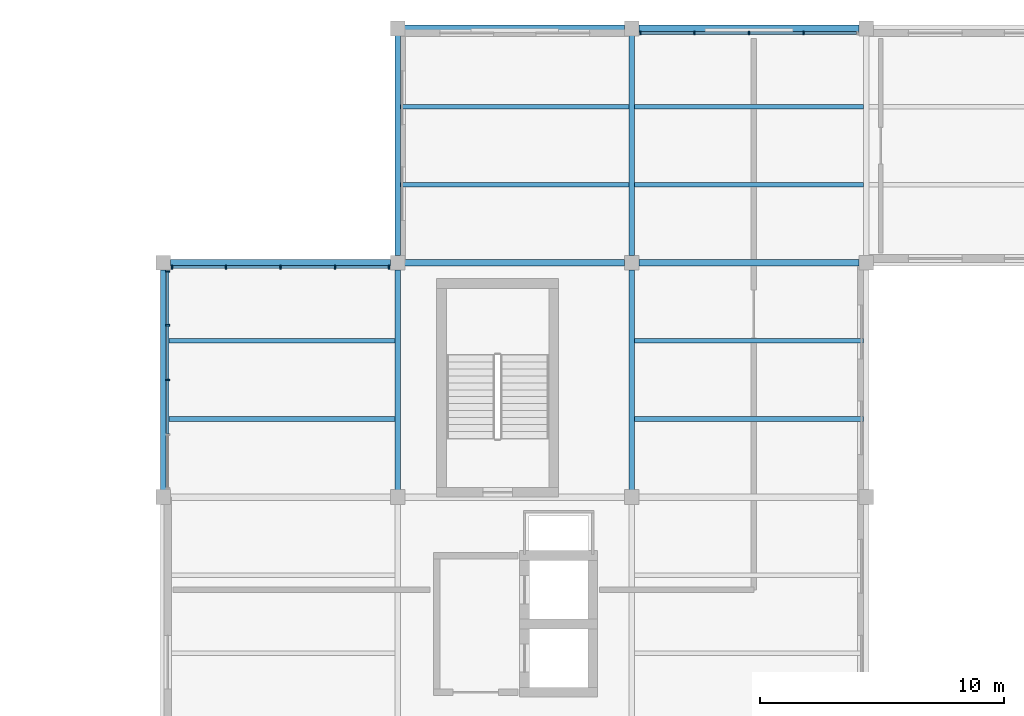
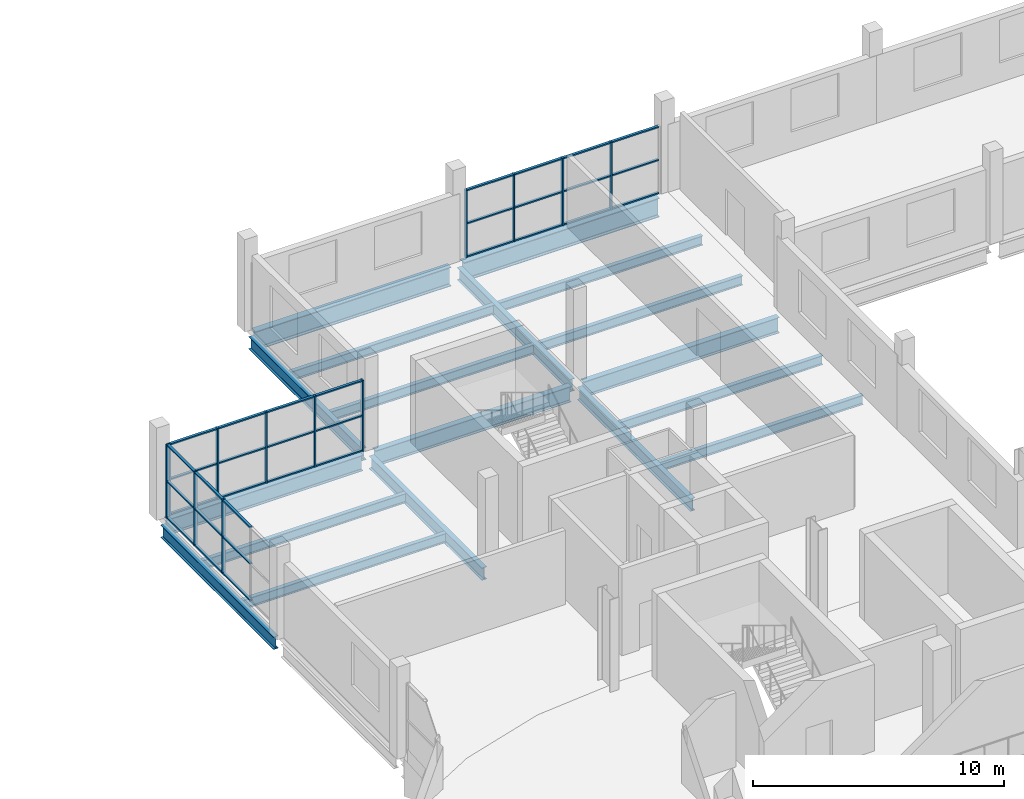
# One storey, part 40 of 92: 45 members, 18 beams, 3 elements without a shape of their own.
"""IFC4 building model written with IfcOpenShell, lengths in metres."""

from ifc_helpers import new_model, si_unit, direction, frame, origin, origin_2d, place, context, subcontext, project, spatial, rectangle, i_section, extrude, material, layer, layer_set, material_profile, profile_set, type_object, element, aggregate, save


model = new_model("IFC4")

# Units and contexts
model_context = context("Model", 3, precision=1e-05, world=origin(), true_north=direction((0.0, 1.0)))
body_context = subcontext(model_context, "Body", "Model", "MODEL_VIEW")
ifc_project = project(units=[si_unit("LENGTHUNIT", "METRE"), si_unit("AREAUNIT", "SQUARE_METRE"), si_unit("VOLUMEUNIT", "CUBIC_METRE"), si_unit("PLANEANGLEUNIT", "RADIAN"), si_unit("MASSUNIT", "GRAM", prefix="KILO")], contexts=[model_context])

# Site, building, storey
site_placement = place(None, origin())
site = spatial("IfcSite", under=ifc_project, at=site_placement, CompositionType="ELEMENT")
building_placement = place(site_placement, origin())
building = spatial("IfcBuilding", under=site, at=building_placement, Name="Caelomonte Colonnade Arena", CompositionType="ELEMENT")
storey_placement = place(building_placement, frame((0.0, 0.0, 9.60009765625)))
storey = spatial("IfcBuildingStorey", under=building, at=storey_placement, Name="L02", CompositionType="ELEMENT", Elevation=9.60009765625)

# Curtain wall, members
ifc_material_1 = material(Name="Bronze anodised aluminium and low-E glazing", Category="aluminium")
ifc_layer_1 = layer(ifc_material_1, 0.179931640625)
ifc_layer_set_1 = layer_set([ifc_layer_1], Name="Bronze anodised aluminium and low-E glazing")
curtain_wall_type_1 = type_object("IfcCurtainWallType", Name="ENV-CW-CW-L02-96-33", PredefinedType="USERDEFINED", material=ifc_layer_set_1)
curtain_wall_1_placement = place(storey_placement, origin())
curtain_wall_1 = element("IfcCurtainWall", 1, at=curtain_wall_1_placement, inside=storey, type_object=curtain_wall_type_1, Name="L02 unitized curtain wall CW-L02-0912-1438", ObjectType="UNITIZED CURTAIN WALL", PredefinedType="USERDEFINED")
ifc_material_2 = material(Name="Bronze anodised aluminium AA6063-T6", Category="aluminium")
ifc_material_profile_1 = material_profile(ifc_material_2, rectangle(XDim=0.06494140625, YDim=0.14990234375, at=origin_2d()), Name="CWM-65X150")
ifc_profile_set_1 = profile_set([ifc_material_profile_1], Name="Bronze anodised aluminium AA6063-T6")
member_type_1 = type_object("IfcMemberType", Name="ENV-CW-MULL2", PredefinedType="MULLION", material=ifc_profile_set_1)
member_1_placement = place(storey_placement, frame((93.43994140625, 143.820068359375, 0.0), z_axis=(0.0, 0.0, 1.0), x_axis=(-1.0, 0.0, 0.0)))
member_1 = element("IfcMember", 2, at=member_1_placement, type_object=member_type_1, Name="CW-L02-96-33 mullion 2", PredefinedType="MULLION", context=body_context, shape_type="SweptSolid", body=[
    extrude(rectangle(XDim=0.06494140625, YDim=0.14990234375, at=origin_2d()), origin(), (0.0, 0.0, 1.0), 3.29296875),
])
member_2_placement = place(storey_placement, frame((91.199951171875, 143.820068359375, 0.0), z_axis=(0.0, 0.0, 1.0), x_axis=(-1.0, 0.0, 0.0)))
member_2 = element("IfcMember", 3, at=member_2_placement, type_object=member_type_1, Name="CW-L02-96-33 mullion 3", PredefinedType="MULLION", context=body_context, shape_type="SweptSolid", body=[
    extrude(rectangle(XDim=0.06494140625, YDim=0.14990234375, at=origin_2d()), origin(), (0.0, 0.0, 1.0), 3.29296875),
])
member_3_placement = place(storey_placement, frame((88.9599609375, 143.820068359375, 0.0), z_axis=(0.0, 0.0, 1.0), x_axis=(-1.0, 0.0, 0.0)))
member_3 = element("IfcMember", 4, at=member_3_placement, type_object=member_type_1, Name="CW-L02-96-33 mullion 4", PredefinedType="MULLION", context=body_context, shape_type="SweptSolid", body=[
    extrude(rectangle(XDim=0.06494140625, YDim=0.14990234375, at=origin_2d()), origin(), (0.0, 0.0, 1.0), 3.29296875),
])
member_4_placement = place(storey_placement, frame((86.75244140625, 143.820068359375, 0.0), z_axis=(0.0, 0.0, 1.0), x_axis=(-1.0, 0.0, 0.0)))
member_4 = element("IfcMember", 5, at=member_4_placement, type_object=member_type_1, Name="CW-L02-96-33 mullion 5", PredefinedType="MULLION", context=body_context, shape_type="SweptSolid", body=[
    extrude(rectangle(XDim=0.06494140625, YDim=0.14990234375, at=origin_2d()), origin(), (0.0, 0.0, 1.0), 3.29296875),
])

ifc_layer_2 = layer(ifc_material_1, 0.179931640625)
ifc_layer_set_2 = layer_set([ifc_layer_2], Name="Bronze anodised aluminium and low-E glazing")
curtain_wall_type_2 = type_object("IfcCurtainWallType", Name="ENV-CW-CW-L02-96-35", PredefinedType="USERDEFINED", material=ifc_layer_set_2)
curtain_wall_2_placement = place(storey_placement, origin())
curtain_wall_2 = element("IfcCurtainWall", 6, at=curtain_wall_2_placement, inside=storey, type_object=curtain_wall_type_2, Name="L02 unitized curtain wall CW-L02-0720-1342", ObjectType="UNITIZED CURTAIN WALL", PredefinedType="USERDEFINED")
member_5_placement = place(storey_placement, frame((76.447509765625, 134.219970703125, 0.0), z_axis=(0.0, 0.0, 1.0), x_axis=(-1.0, 0.0, 0.0)))
member_5 = element("IfcMember", 7, at=member_5_placement, type_object=member_type_1, Name="CW-L02-96-35 mullion 1", PredefinedType="MULLION", context=body_context, shape_type="SweptSolid", body=[
    extrude(rectangle(XDim=0.06494140625, YDim=0.14990234375, at=origin_2d()), origin(), (0.0, 0.0, 1.0), 3.465576171875),
])
member_6_placement = place(storey_placement, frame((74.239990234375, 134.219970703125, 0.0), z_axis=(0.0, 0.0, 1.0), x_axis=(-1.0, 0.0, 0.0)))
member_6 = element("IfcMember", 8, at=member_6_placement, type_object=member_type_1, Name="CW-L02-96-35 mullion 2", PredefinedType="MULLION", context=body_context, shape_type="SweptSolid", body=[
    extrude(rectangle(XDim=0.06494140625, YDim=0.14990234375, at=origin_2d()), origin(), (0.0, 0.0, 1.0), 3.465576171875),
])
member_7_placement = place(storey_placement, frame((72.0, 134.219970703125, 0.0), z_axis=(0.0, 0.0, 1.0), x_axis=(-1.0, 0.0, 0.0)))
member_7 = element("IfcMember", 9, at=member_7_placement, type_object=member_type_1, Name="CW-L02-96-35 mullion 3", PredefinedType="MULLION", context=body_context, shape_type="SweptSolid", body=[
    extrude(rectangle(XDim=0.06494140625, YDim=0.14990234375, at=origin_2d()), origin(), (0.0, 0.0, 1.0), 3.465576171875),
])
member_8_placement = place(storey_placement, frame((69.760009765625, 134.219970703125, 0.0), z_axis=(0.0, 0.0, 1.0), x_axis=(-1.0, 0.0, 0.0)))
member_8 = element("IfcMember", 10, at=member_8_placement, type_object=member_type_1, Name="CW-L02-96-35 mullion 4", PredefinedType="MULLION", context=body_context, shape_type="SweptSolid", body=[
    extrude(rectangle(XDim=0.06494140625, YDim=0.14990234375, at=origin_2d()), origin(), (0.0, 0.0, 1.0), 3.465576171875),
])
member_9_placement = place(storey_placement, frame((67.552490234375, 134.219970703125, 0.0), z_axis=(0.0, 0.0, 1.0), x_axis=(-1.0, 0.0, 0.0)))
member_9 = element("IfcMember", 11, at=member_9_placement, type_object=member_type_1, Name="CW-L02-96-35 mullion 5", PredefinedType="MULLION", context=body_context, shape_type="SweptSolid", body=[
    extrude(rectangle(XDim=0.06494140625, YDim=0.14990234375, at=origin_2d()), origin(), (0.0, 0.0, 1.0), 3.465576171875),
])

ifc_layer_3 = layer(ifc_material_1, 0.179931640625)
ifc_layer_set_3 = layer_set([ifc_layer_3], Name="Bronze anodised aluminium and low-E glazing")
curtain_wall_type_3 = type_object("IfcCurtainWallType", Name="ENV-CW-CW-L02-96-36", PredefinedType="USERDEFINED", material=ifc_layer_set_3)
curtain_wall_3_placement = place(storey_placement, origin())
curtain_wall_3 = element("IfcCurtainWall", 12, at=curtain_wall_3_placement, inside=storey, type_object=curtain_wall_type_3, Name="L02 unitized curtain wall CW-L02-0674-1296", ObjectType="UNITIZED CURTAIN WALL", PredefinedType="USERDEFINED")
member_10_placement = place(storey_placement, frame((67.3798828125, 134.047607421875, 0.0), z_axis=(0.0, 0.0, 1.0), x_axis=(0.0, -1.0, 0.0)))
member_10 = element("IfcMember", 13, at=member_10_placement, type_object=member_type_1, Name="CW-L02-96-36 mullion 1", PredefinedType="MULLION", context=body_context, shape_type="SweptSolid", body=[
    extrude(rectangle(XDim=0.06494140625, YDim=0.14990234375, at=origin_2d()), origin(), (0.0, 0.0, 1.0), 3.61279296875),
])
member_11_placement = place(storey_placement, frame((67.3798828125, 131.840087890625, 0.0), z_axis=(0.0, 0.0, 1.0), x_axis=(0.0, -1.0, 0.0)))
member_11 = element("IfcMember", 14, at=member_11_placement, type_object=member_type_1, Name="CW-L02-96-36 mullion 2", PredefinedType="MULLION", context=body_context, shape_type="SweptSolid", body=[
    extrude(rectangle(XDim=0.06494140625, YDim=0.14990234375, at=origin_2d()), origin(), (0.0, 0.0, 1.0), 3.61279296875),
])
member_12_placement = place(storey_placement, frame((67.3798828125, 129.60009765625, 0.0), z_axis=(0.0, 0.0, 1.0), x_axis=(0.0, -1.0, 0.0)))
member_12 = element("IfcMember", 15, at=member_12_placement, type_object=member_type_1, Name="CW-L02-96-36 mullion 3", PredefinedType="MULLION", context=body_context, shape_type="SweptSolid", body=[
    extrude(rectangle(XDim=0.06494140625, YDim=0.14990234375, at=origin_2d()), origin(), (0.0, 0.0, 1.0), 3.61279296875),
])

# Member
ifc_material_profile_2 = material_profile(ifc_material_2, rectangle(XDim=0.06494140625, YDim=0.1201171875, at=origin_2d()), Name="CWT-65X120")
ifc_profile_set_2 = profile_set([ifc_material_profile_2], Name="Bronze anodised aluminium AA6063-T6")
member_type_2 = type_object("IfcMemberType", Name="ENV-CW-TRAN2", PredefinedType="USERDEFINED", material=ifc_profile_set_2)
member_13_placement = place(storey_placement, frame((95.614990234375, 143.820068359375, 0.032470703125), z_axis=(-1.0, 0.0, 0.0), x_axis=(0.0, 0.0, 1.0)))
member_13 = element("IfcMember", 16, at=member_13_placement, type_object=member_type_2, Name="CW-L02-96-33 transom 1.1", ObjectType="TRANSOM", PredefinedType="USERDEFINED", context=body_context, shape_type="SweptSolid", body=[
    extrude(rectangle(XDim=0.06494140625, YDim=0.1201171875, at=origin_2d()), origin(), (0.0, 0.0, 1.0), 2.142578125),
])

member_14_placement = place(storey_placement, frame((95.614990234375, 143.820068359375, 1.646484375), z_axis=(-1.0, 0.0, 0.0), x_axis=(0.0, 0.0, 1.0)))
member_14 = element("IfcMember", 17, at=member_14_placement, type_object=member_type_2, Name="CW-L02-96-33 transom 1.2", ObjectType="TRANSOM", PredefinedType="USERDEFINED", context=body_context, shape_type="SweptSolid", body=[
    extrude(rectangle(XDim=0.06494140625, YDim=0.1201171875, at=origin_2d()), origin(), (0.0, 0.0, 1.0), 2.142578125),
])

member_15_placement = place(storey_placement, frame((95.614990234375, 143.820068359375, 3.260498046875), z_axis=(-1.0, 0.0, 0.0), x_axis=(0.0, 0.0, 1.0)))
member_15 = element("IfcMember", 18, at=member_15_placement, type_object=member_type_2, Name="CW-L02-96-33 transom 1.3", ObjectType="TRANSOM", PredefinedType="USERDEFINED", context=body_context, shape_type="SweptSolid", body=[
    extrude(rectangle(XDim=0.06494140625, YDim=0.1201171875, at=origin_2d()), origin(), (0.0, 0.0, 1.0), 2.142578125),
])

member_16_placement = place(storey_placement, frame((93.407470703125, 143.820068359375, 0.032470703125), z_axis=(-1.0, 0.0, 0.0), x_axis=(0.0, 0.0, 1.0)))
member_16 = element("IfcMember", 19, at=member_16_placement, type_object=member_type_2, Name="CW-L02-96-33 transom 2.1", ObjectType="TRANSOM", PredefinedType="USERDEFINED", context=body_context, shape_type="SweptSolid", body=[
    extrude(rectangle(XDim=0.06494140625, YDim=0.1201171875, at=origin_2d()), origin(), (0.0, 0.0, 1.0), 2.175048828125),
])

member_17_placement = place(storey_placement, frame((93.407470703125, 143.820068359375, 1.646484375), z_axis=(-1.0, 0.0, 0.0), x_axis=(0.0, 0.0, 1.0)))
member_17 = element("IfcMember", 20, at=member_17_placement, type_object=member_type_2, Name="CW-L02-96-33 transom 2.2", ObjectType="TRANSOM", PredefinedType="USERDEFINED", context=body_context, shape_type="SweptSolid", body=[
    extrude(rectangle(XDim=0.06494140625, YDim=0.1201171875, at=origin_2d()), origin(), (0.0, 0.0, 1.0), 2.175048828125),
])

member_18_placement = place(storey_placement, frame((93.407470703125, 143.820068359375, 3.260498046875), z_axis=(-1.0, 0.0, 0.0), x_axis=(0.0, 0.0, 1.0)))
member_18 = element("IfcMember", 21, at=member_18_placement, type_object=member_type_2, Name="CW-L02-96-33 transom 2.3", ObjectType="TRANSOM", PredefinedType="USERDEFINED", context=body_context, shape_type="SweptSolid", body=[
    extrude(rectangle(XDim=0.06494140625, YDim=0.1201171875, at=origin_2d()), origin(), (0.0, 0.0, 1.0), 2.175048828125),
])

member_19_placement = place(storey_placement, frame((91.16748046875, 143.820068359375, 0.032470703125), z_axis=(-1.0, 0.0, 0.0), x_axis=(0.0, 0.0, 1.0)))
member_19 = element("IfcMember", 22, at=member_19_placement, type_object=member_type_2, Name="CW-L02-96-33 transom 3.1", ObjectType="TRANSOM", PredefinedType="USERDEFINED", context=body_context, shape_type="SweptSolid", body=[
    extrude(rectangle(XDim=0.06494140625, YDim=0.1201171875, at=origin_2d()), origin(), (0.0, 0.0, 1.0), 2.175048828125),
])

member_20_placement = place(storey_placement, frame((91.16748046875, 143.820068359375, 1.646484375), z_axis=(-1.0, 0.0, 0.0), x_axis=(0.0, 0.0, 1.0)))
member_20 = element("IfcMember", 23, at=member_20_placement, type_object=member_type_2, Name="CW-L02-96-33 transom 3.2", ObjectType="TRANSOM", PredefinedType="USERDEFINED", context=body_context, shape_type="SweptSolid", body=[
    extrude(rectangle(XDim=0.06494140625, YDim=0.1201171875, at=origin_2d()), origin(), (0.0, 0.0, 1.0), 2.175048828125),
])

member_21_placement = place(storey_placement, frame((91.16748046875, 143.820068359375, 3.260498046875), z_axis=(-1.0, 0.0, 0.0), x_axis=(0.0, 0.0, 1.0)))
member_21 = element("IfcMember", 24, at=member_21_placement, type_object=member_type_2, Name="CW-L02-96-33 transom 3.3", ObjectType="TRANSOM", PredefinedType="USERDEFINED", context=body_context, shape_type="SweptSolid", body=[
    extrude(rectangle(XDim=0.06494140625, YDim=0.1201171875, at=origin_2d()), origin(), (0.0, 0.0, 1.0), 2.175048828125),
])

member_22_placement = place(storey_placement, frame((88.927490234375, 143.820068359375, 0.032470703125), z_axis=(-1.0, 0.0, 0.0), x_axis=(0.0, 0.0, 1.0)))
member_22 = element("IfcMember", 25, at=member_22_placement, type_object=member_type_2, Name="CW-L02-96-33 transom 4.1", ObjectType="TRANSOM", PredefinedType="USERDEFINED", context=body_context, shape_type="SweptSolid", body=[
    extrude(rectangle(XDim=0.06494140625, YDim=0.1201171875, at=origin_2d()), origin(), (0.0, 0.0, 1.0), 2.142578125),
])

member_23_placement = place(storey_placement, frame((88.927490234375, 143.820068359375, 1.646484375), z_axis=(-1.0, 0.0, 0.0), x_axis=(0.0, 0.0, 1.0)))
member_23 = element("IfcMember", 26, at=member_23_placement, type_object=member_type_2, Name="CW-L02-96-33 transom 4.2", ObjectType="TRANSOM", PredefinedType="USERDEFINED", context=body_context, shape_type="SweptSolid", body=[
    extrude(rectangle(XDim=0.06494140625, YDim=0.1201171875, at=origin_2d()), origin(), (0.0, 0.0, 1.0), 2.142578125),
])

member_24_placement = place(storey_placement, frame((88.927490234375, 143.820068359375, 3.260498046875), z_axis=(-1.0, 0.0, 0.0), x_axis=(0.0, 0.0, 1.0)))
member_24 = element("IfcMember", 27, at=member_24_placement, type_object=member_type_2, Name="CW-L02-96-33 transom 4.3", ObjectType="TRANSOM", PredefinedType="USERDEFINED", context=body_context, shape_type="SweptSolid", body=[
    extrude(rectangle(XDim=0.06494140625, YDim=0.1201171875, at=origin_2d()), origin(), (0.0, 0.0, 1.0), 2.142578125),
])

aggregate(curtain_wall_1, [member_1, member_2, member_3, member_4, member_13, member_14, member_15, member_16, member_17, member_18, member_19, member_20, member_21, member_22, member_23, member_24])

member_25_placement = place(storey_placement, frame((76.4150390625, 134.219970703125, 0.032470703125), z_axis=(-1.0, 0.0, 0.0), x_axis=(0.0, 0.0, 1.0)))
member_25 = element("IfcMember", 28, at=member_25_placement, type_object=member_type_2, Name="CW-L02-96-35 transom 1.1", ObjectType="TRANSOM", PredefinedType="USERDEFINED", context=body_context, shape_type="SweptSolid", body=[
    extrude(rectangle(XDim=0.06494140625, YDim=0.1201171875, at=origin_2d()), origin(), (0.0, 0.0, 1.0), 2.142578125),
])

member_26_placement = place(storey_placement, frame((76.4150390625, 134.219970703125, 1.732666015625), z_axis=(-1.0, 0.0, 0.0), x_axis=(0.0, 0.0, 1.0)))
member_26 = element("IfcMember", 29, at=member_26_placement, type_object=member_type_2, Name="CW-L02-96-35 transom 1.2", ObjectType="TRANSOM", PredefinedType="USERDEFINED", context=body_context, shape_type="SweptSolid", body=[
    extrude(rectangle(XDim=0.06494140625, YDim=0.1201171875, at=origin_2d()), origin(), (0.0, 0.0, 1.0), 2.142578125),
])

member_27_placement = place(storey_placement, frame((76.4150390625, 134.219970703125, 3.43310546875), z_axis=(-1.0, 0.0, 0.0), x_axis=(0.0, 0.0, 1.0)))
member_27 = element("IfcMember", 30, at=member_27_placement, type_object=member_type_2, Name="CW-L02-96-35 transom 1.3", ObjectType="TRANSOM", PredefinedType="USERDEFINED", context=body_context, shape_type="SweptSolid", body=[
    extrude(rectangle(XDim=0.06494140625, YDim=0.1201171875, at=origin_2d()), origin(), (0.0, 0.0, 1.0), 2.142578125),
])

member_28_placement = place(storey_placement, frame((74.20751953125, 134.219970703125, 0.032470703125), z_axis=(-1.0, 0.0, 0.0), x_axis=(0.0, 0.0, 1.0)))
member_28 = element("IfcMember", 31, at=member_28_placement, type_object=member_type_2, Name="CW-L02-96-35 transom 2.1", ObjectType="TRANSOM", PredefinedType="USERDEFINED", context=body_context, shape_type="SweptSolid", body=[
    extrude(rectangle(XDim=0.06494140625, YDim=0.1201171875, at=origin_2d()), origin(), (0.0, 0.0, 1.0), 2.175048828125),
])

member_29_placement = place(storey_placement, frame((74.20751953125, 134.219970703125, 1.732666015625), z_axis=(-1.0, 0.0, 0.0), x_axis=(0.0, 0.0, 1.0)))
member_29 = element("IfcMember", 32, at=member_29_placement, type_object=member_type_2, Name="CW-L02-96-35 transom 2.2", ObjectType="TRANSOM", PredefinedType="USERDEFINED", context=body_context, shape_type="SweptSolid", body=[
    extrude(rectangle(XDim=0.06494140625, YDim=0.1201171875, at=origin_2d()), origin(), (0.0, 0.0, 1.0), 2.175048828125),
])

member_30_placement = place(storey_placement, frame((74.20751953125, 134.219970703125, 3.43310546875), z_axis=(-1.0, 0.0, 0.0), x_axis=(0.0, 0.0, 1.0)))
member_30 = element("IfcMember", 33, at=member_30_placement, type_object=member_type_2, Name="CW-L02-96-35 transom 2.3", ObjectType="TRANSOM", PredefinedType="USERDEFINED", context=body_context, shape_type="SweptSolid", body=[
    extrude(rectangle(XDim=0.06494140625, YDim=0.1201171875, at=origin_2d()), origin(), (0.0, 0.0, 1.0), 2.175048828125),
])

member_31_placement = place(storey_placement, frame((71.967529296875, 134.219970703125, 0.032470703125), z_axis=(-1.0, 0.0, 0.0), x_axis=(0.0, 0.0, 1.0)))
member_31 = element("IfcMember", 34, at=member_31_placement, type_object=member_type_2, Name="CW-L02-96-35 transom 3.1", ObjectType="TRANSOM", PredefinedType="USERDEFINED", context=body_context, shape_type="SweptSolid", body=[
    extrude(rectangle(XDim=0.06494140625, YDim=0.1201171875, at=origin_2d()), origin(), (0.0, 0.0, 1.0), 2.175048828125),
])

member_32_placement = place(storey_placement, frame((71.967529296875, 134.219970703125, 1.732666015625), z_axis=(-1.0, 0.0, 0.0), x_axis=(0.0, 0.0, 1.0)))
member_32 = element("IfcMember", 35, at=member_32_placement, type_object=member_type_2, Name="CW-L02-96-35 transom 3.2", ObjectType="TRANSOM", PredefinedType="USERDEFINED", context=body_context, shape_type="SweptSolid", body=[
    extrude(rectangle(XDim=0.06494140625, YDim=0.1201171875, at=origin_2d()), origin(), (0.0, 0.0, 1.0), 2.175048828125),
])

member_33_placement = place(storey_placement, frame((71.967529296875, 134.219970703125, 3.43310546875), z_axis=(-1.0, 0.0, 0.0), x_axis=(0.0, 0.0, 1.0)))
member_33 = element("IfcMember", 36, at=member_33_placement, type_object=member_type_2, Name="CW-L02-96-35 transom 3.3", ObjectType="TRANSOM", PredefinedType="USERDEFINED", context=body_context, shape_type="SweptSolid", body=[
    extrude(rectangle(XDim=0.06494140625, YDim=0.1201171875, at=origin_2d()), origin(), (0.0, 0.0, 1.0), 2.175048828125),
])

member_34_placement = place(storey_placement, frame((69.7275390625, 134.219970703125, 0.032470703125), z_axis=(-1.0, 0.0, 0.0), x_axis=(0.0, 0.0, 1.0)))
member_34 = element("IfcMember", 37, at=member_34_placement, type_object=member_type_2, Name="CW-L02-96-35 transom 4.1", ObjectType="TRANSOM", PredefinedType="USERDEFINED", context=body_context, shape_type="SweptSolid", body=[
    extrude(rectangle(XDim=0.06494140625, YDim=0.1201171875, at=origin_2d()), origin(), (0.0, 0.0, 1.0), 2.142578125),
])

member_35_placement = place(storey_placement, frame((69.7275390625, 134.219970703125, 1.732666015625), z_axis=(-1.0, 0.0, 0.0), x_axis=(0.0, 0.0, 1.0)))
member_35 = element("IfcMember", 38, at=member_35_placement, type_object=member_type_2, Name="CW-L02-96-35 transom 4.2", ObjectType="TRANSOM", PredefinedType="USERDEFINED", context=body_context, shape_type="SweptSolid", body=[
    extrude(rectangle(XDim=0.06494140625, YDim=0.1201171875, at=origin_2d()), origin(), (0.0, 0.0, 1.0), 2.142578125),
])

member_36_placement = place(storey_placement, frame((69.7275390625, 134.219970703125, 3.43310546875), z_axis=(-1.0, 0.0, 0.0), x_axis=(0.0, 0.0, 1.0)))
member_36 = element("IfcMember", 39, at=member_36_placement, type_object=member_type_2, Name="CW-L02-96-35 transom 4.3", ObjectType="TRANSOM", PredefinedType="USERDEFINED", context=body_context, shape_type="SweptSolid", body=[
    extrude(rectangle(XDim=0.06494140625, YDim=0.1201171875, at=origin_2d()), origin(), (0.0, 0.0, 1.0), 2.142578125),
])

aggregate(curtain_wall_2, [member_5, member_6, member_7, member_8, member_9, member_25, member_26, member_27, member_28, member_29, member_30, member_31, member_32, member_33, member_34, member_35, member_36])

member_37_placement = place(storey_placement, frame((67.3798828125, 134.014892578125, 0.032470703125), z_axis=(0.0, -1.0, 0.0), x_axis=(0.0, 0.0, 1.0)))
member_37 = element("IfcMember", 40, at=member_37_placement, type_object=member_type_2, Name="CW-L02-96-36 transom 1.1", ObjectType="TRANSOM", PredefinedType="USERDEFINED", context=body_context, shape_type="SweptSolid", body=[
    extrude(rectangle(XDim=0.06494140625, YDim=0.1201171875, at=origin_2d()), origin(), (0.0, 0.0, 1.0), 2.142333984375),
])

member_38_placement = place(storey_placement, frame((67.3798828125, 134.014892578125, 1.806396484375), z_axis=(0.0, -1.0, 0.0), x_axis=(0.0, 0.0, 1.0)))
member_38 = element("IfcMember", 41, at=member_38_placement, type_object=member_type_2, Name="CW-L02-96-36 transom 1.2", ObjectType="TRANSOM", PredefinedType="USERDEFINED", context=body_context, shape_type="SweptSolid", body=[
    extrude(rectangle(XDim=0.06494140625, YDim=0.1201171875, at=origin_2d()), origin(), (0.0, 0.0, 1.0), 2.142333984375),
])

member_39_placement = place(storey_placement, frame((67.3798828125, 134.014892578125, 3.580322265625), z_axis=(0.0, -1.0, 0.0), x_axis=(0.0, 0.0, 1.0)))
member_39 = element("IfcMember", 42, at=member_39_placement, type_object=member_type_2, Name="CW-L02-96-36 transom 1.3", ObjectType="TRANSOM", PredefinedType="USERDEFINED", context=body_context, shape_type="SweptSolid", body=[
    extrude(rectangle(XDim=0.06494140625, YDim=0.1201171875, at=origin_2d()), origin(), (0.0, 0.0, 1.0), 2.142333984375),
])

member_40_placement = place(storey_placement, frame((67.3798828125, 131.8076171875, 0.032470703125), z_axis=(0.0, -1.0, 0.0), x_axis=(0.0, 0.0, 1.0)))
member_40 = element("IfcMember", 43, at=member_40_placement, type_object=member_type_2, Name="CW-L02-96-36 transom 2.1", ObjectType="TRANSOM", PredefinedType="USERDEFINED", context=body_context, shape_type="SweptSolid", body=[
    extrude(rectangle(XDim=0.06494140625, YDim=0.1201171875, at=origin_2d()), origin(), (0.0, 0.0, 1.0), 2.175048828125),
])

member_41_placement = place(storey_placement, frame((67.3798828125, 131.8076171875, 1.806396484375), z_axis=(0.0, -1.0, 0.0), x_axis=(0.0, 0.0, 1.0)))
member_41 = element("IfcMember", 44, at=member_41_placement, type_object=member_type_2, Name="CW-L02-96-36 transom 2.2", ObjectType="TRANSOM", PredefinedType="USERDEFINED", context=body_context, shape_type="SweptSolid", body=[
    extrude(rectangle(XDim=0.06494140625, YDim=0.1201171875, at=origin_2d()), origin(), (0.0, 0.0, 1.0), 2.175048828125),
])

member_42_placement = place(storey_placement, frame((67.3798828125, 131.8076171875, 3.580322265625), z_axis=(0.0, -1.0, 0.0), x_axis=(0.0, 0.0, 1.0)))
member_42 = element("IfcMember", 45, at=member_42_placement, type_object=member_type_2, Name="CW-L02-96-36 transom 2.3", ObjectType="TRANSOM", PredefinedType="USERDEFINED", context=body_context, shape_type="SweptSolid", body=[
    extrude(rectangle(XDim=0.06494140625, YDim=0.1201171875, at=origin_2d()), origin(), (0.0, 0.0, 1.0), 2.175048828125),
])

member_43_placement = place(storey_placement, frame((67.3798828125, 129.5673828125, 0.032470703125), z_axis=(0.0, -1.0, 0.0), x_axis=(0.0, 0.0, 1.0)))
member_43 = element("IfcMember", 46, at=member_43_placement, type_object=member_type_2, Name="CW-L02-96-36 transom 3.1", ObjectType="TRANSOM", PredefinedType="USERDEFINED", context=body_context, shape_type="SweptSolid", body=[
    extrude(rectangle(XDim=0.06494140625, YDim=0.1201171875, at=origin_2d()), origin(), (0.0, 0.0, 1.0), 2.1748046875),
])

member_44_placement = place(storey_placement, frame((67.3798828125, 129.5673828125, 1.806396484375), z_axis=(0.0, -1.0, 0.0), x_axis=(0.0, 0.0, 1.0)))
member_44 = element("IfcMember", 47, at=member_44_placement, type_object=member_type_2, Name="CW-L02-96-36 transom 3.2", ObjectType="TRANSOM", PredefinedType="USERDEFINED", context=body_context, shape_type="SweptSolid", body=[
    extrude(rectangle(XDim=0.06494140625, YDim=0.1201171875, at=origin_2d()), origin(), (0.0, 0.0, 1.0), 2.1748046875),
])

member_45_placement = place(storey_placement, frame((67.3798828125, 129.5673828125, 3.580322265625), z_axis=(0.0, -1.0, 0.0), x_axis=(0.0, 0.0, 1.0)))
member_45 = element("IfcMember", 48, at=member_45_placement, type_object=member_type_2, Name="CW-L02-96-36 transom 3.3", ObjectType="TRANSOM", PredefinedType="USERDEFINED", context=body_context, shape_type="SweptSolid", body=[
    extrude(rectangle(XDim=0.06494140625, YDim=0.1201171875, at=origin_2d()), origin(), (0.0, 0.0, 1.0), 2.1748046875),
])

aggregate(curtain_wall_3, [member_10, member_11, member_12, member_37, member_38, member_39, member_40, member_41, member_42, member_43, member_44, member_45])

# Beams
ifc_material_3 = material(Name="Wide-flange steel ASTM A992 Grade 50", Category="steel")
ifc_material_profile_3 = material_profile(ifc_material_3, i_section(OverallWidth=0.307861328125, OverallDepth=0.927001953125, WebThickness=0.019287109375, FlangeThickness=0.031982421875, FilletRadius=0.020263671875, at=origin_2d()), Name="W36X194")
ifc_profile_set_3 = profile_set([ifc_material_profile_3], Name="Wide-flange steel ASTM A992 Grade 50")
beam_type_1 = type_object("IfcBeamType", Name="STR-BM-EAVES2", PredefinedType="SPANDREL", material=ifc_profile_set_3)
beam_1_placement = place(storey_placement, frame((77.092041015625, 144.0, -0.74365234375), z_axis=(1.0, 0.0, 0.0), x_axis=(0.0, 1.0, 0.0)))
element("IfcBeam", 49, at=beam_1_placement, inside=storey, type_object=beam_type_1, Name="L02 girder BMX-L02-0768-1440", PredefinedType="SPANDREL", context=body_context, shape_type="SweptSolid", body=[
    extrude(i_section(OverallWidth=0.307861328125, OverallDepth=0.927001953125, WebThickness=0.019287109375, FlangeThickness=0.031982421875, FilletRadius=0.020263671875, at=origin_2d()), origin(), (0.0, 0.0, 1.0), 9.015869140625),
])
beam_2_placement = place(storey_placement, frame((86.69189453125, 144.0, -0.74365234375), z_axis=(1.0, 0.0, 0.0), x_axis=(0.0, 1.0, 0.0)))
element("IfcBeam", 50, at=beam_2_placement, inside=storey, type_object=beam_type_1, Name="L02 girder BMX-L02-0864-1440", PredefinedType="SPANDREL", context=body_context, shape_type="SweptSolid", body=[
    extrude(i_section(OverallWidth=0.307861328125, OverallDepth=0.927001953125, WebThickness=0.019287109375, FlangeThickness=0.031982421875, FilletRadius=0.020263671875, at=origin_2d()), origin(), (0.0, 0.0, 1.0), 9.01611328125),
])
ifc_material_profile_4 = material_profile(ifc_material_3, i_section(OverallWidth=0.228271484375, OverallDepth=0.607177734375, WebThickness=0.01123046875, FlangeThickness=0.017333984375, FilletRadius=0.0126953125, at=origin_2d()), Name="W24X76")
ifc_profile_set_4 = profile_set([ifc_material_profile_4], Name="Wide-flange steel ASTM A992 Grade 50")
beam_type_2 = type_object("IfcBeamType", Name="STR-BM-GIRD24", PredefinedType="BEAM", material=ifc_profile_set_4)
for number, where, z_axis, x_axis, name in (
    (51, (67.199951171875, 125.092041015625, -0.58349609375), (0.0, 1.0, 0.0), (-1.0, 0.0, 0.0), "L02 girder BMY-L02-0672-1248"),
    (52, (76.800048828125, 125.092041015625, -0.58349609375), (0.0, 1.0, 0.0), (-1.0, 0.0, 0.0), "L02 girder BMY-L02-0768-1248"),
):
    element("IfcBeam", number, at=place(storey_placement, frame(where, z_axis=z_axis, x_axis=x_axis)), inside=storey, type_object=beam_type_2, Name=name, PredefinedType="BEAM", context=body_context, shape_type="SweptSolid", body=[
        extrude(i_section(OverallWidth=0.228271484375, OverallDepth=0.607177734375, WebThickness=0.01123046875, FlangeThickness=0.017333984375, FilletRadius=0.0126953125, at=origin_2d()), origin(), (0.0, 0.0, 1.0), 9.015869140625),
    ])
beam_3_placement = place(storey_placement, frame((76.800048828125, 134.69189453125, -0.58349609375), z_axis=(0.0, 1.0, 0.0), x_axis=(-1.0, 0.0, 0.0)))
element("IfcBeam", 53, at=beam_3_placement, inside=storey, type_object=beam_type_2, Name="L02 girder BMY-L02-0768-1344", PredefinedType="BEAM", context=body_context, shape_type="SweptSolid", body=[
    extrude(i_section(OverallWidth=0.228271484375, OverallDepth=0.607177734375, WebThickness=0.01123046875, FlangeThickness=0.017333984375, FilletRadius=0.0126953125, at=origin_2d()), origin(), (0.0, 0.0, 1.0), 9.01611328125),
])
beam_4_placement = place(storey_placement, frame((86.39990234375, 125.092041015625, -0.58349609375), z_axis=(0.0, 1.0, 0.0), x_axis=(-1.0, 0.0, 0.0)))
element("IfcBeam", 54, at=beam_4_placement, inside=storey, type_object=beam_type_2, Name="L02 girder BMY-L02-0864-1248", PredefinedType="BEAM", context=body_context, shape_type="SweptSolid", body=[
    extrude(i_section(OverallWidth=0.228271484375, OverallDepth=0.607177734375, WebThickness=0.01123046875, FlangeThickness=0.017333984375, FilletRadius=0.0126953125, at=origin_2d()), origin(), (0.0, 0.0, 1.0), 9.015869140625),
])
beam_5_placement = place(storey_placement, frame((86.39990234375, 134.69189453125, -0.58349609375), z_axis=(0.0, 1.0, 0.0), x_axis=(-1.0, 0.0, 0.0)))
element("IfcBeam", 55, at=beam_5_placement, inside=storey, type_object=beam_type_2, Name="L02 girder BMY-L02-0864-1344", PredefinedType="BEAM", context=body_context, shape_type="SweptSolid", body=[
    extrude(i_section(OverallWidth=0.228271484375, OverallDepth=0.607177734375, WebThickness=0.01123046875, FlangeThickness=0.017333984375, FilletRadius=0.0126953125, at=origin_2d()), origin(), (0.0, 0.0, 1.0), 9.01611328125),
])
ifc_material_profile_5 = material_profile(ifc_material_3, i_section(OverallWidth=0.2666015625, OverallDepth=0.761962890625, WebThickness=0.014404296875, FlangeThickness=0.021484375, FilletRadius=0.0166015625, at=origin_2d()), Name="W30X116")
ifc_profile_set_5 = profile_set([ifc_material_profile_5], Name="Wide-flange steel ASTM A992 Grade 50")
beam_type_3 = type_object("IfcBeamType", Name="STR-BM-GIRD30", PredefinedType="BEAM", material=ifc_profile_set_5)
beam_6_placement = place(storey_placement, frame((67.491943359375, 134.39990234375, -0.6611328125), z_axis=(1.0, 0.0, 0.0), x_axis=(0.0, 1.0, 0.0)))
element("IfcBeam", 56, at=beam_6_placement, inside=storey, type_object=beam_type_3, Name="L02 girder BMX-L02-0672-1344", PredefinedType="BEAM", context=body_context, shape_type="SweptSolid", body=[
    extrude(i_section(OverallWidth=0.2666015625, OverallDepth=0.761962890625, WebThickness=0.014404296875, FlangeThickness=0.021484375, FilletRadius=0.0166015625, at=origin_2d()), origin(), (0.0, 0.0, 1.0), 9.01611328125),
])
beam_7_placement = place(storey_placement, frame((77.092041015625, 134.39990234375, -0.6611328125), z_axis=(1.0, 0.0, 0.0), x_axis=(0.0, 1.0, 0.0)))
element("IfcBeam", 57, at=beam_7_placement, inside=storey, type_object=beam_type_3, Name="L02 girder BMX-L02-0768-1344", PredefinedType="BEAM", context=body_context, shape_type="SweptSolid", body=[
    extrude(i_section(OverallWidth=0.2666015625, OverallDepth=0.761962890625, WebThickness=0.014404296875, FlangeThickness=0.021484375, FilletRadius=0.0166015625, at=origin_2d()), origin(), (0.0, 0.0, 1.0), 9.015869140625),
])
beam_8_placement = place(storey_placement, frame((86.69189453125, 134.39990234375, -0.6611328125), z_axis=(1.0, 0.0, 0.0), x_axis=(0.0, 1.0, 0.0)))
element("IfcBeam", 58, at=beam_8_placement, inside=storey, type_object=beam_type_3, Name="L02 girder BMX-L02-0864-1344", PredefinedType="BEAM", context=body_context, shape_type="SweptSolid", body=[
    extrude(i_section(OverallWidth=0.2666015625, OverallDepth=0.761962890625, WebThickness=0.014404296875, FlangeThickness=0.021484375, FilletRadius=0.0166015625, at=origin_2d()), origin(), (0.0, 0.0, 1.0), 9.01611328125),
])
ifc_material_profile_6 = material_profile(ifc_material_3, i_section(OverallWidth=0.1904296875, OverallDepth=0.457275390625, WebThickness=0.009033203125, FlangeThickness=0.014404296875, FilletRadius=0.01025390625, at=origin_2d()), Name="W18X50")
ifc_profile_set_6 = profile_set([ifc_material_profile_6], Name="Wide-flange steel ASTM A992 Grade 50")
beam_type_4 = type_object("IfcBeamType", Name="STR-BM-JOIST18", PredefinedType="JOIST", material=ifc_profile_set_6)
for number, where, z_axis, x_axis, name in (
    (59, (67.30908203125, 128.0, -0.5087890625), (1.0, 0.0, 0.0), (0.0, 1.0, 0.0), "L02 secondary joist 1"),
    (60, (67.30908203125, 131.199951171875, -0.5087890625), (1.0, 0.0, 0.0), (0.0, 1.0, 0.0), "L02 secondary joist 2"),
):
    element("IfcBeam", number, at=place(storey_placement, frame(where, z_axis=z_axis, x_axis=x_axis)), inside=storey, type_object=beam_type_4, Name=name, PredefinedType="JOIST", context=body_context, shape_type="SweptSolid", body=[
        extrude(i_section(OverallWidth=0.1904296875, OverallDepth=0.457275390625, WebThickness=0.009033203125, FlangeThickness=0.014404296875, FilletRadius=0.01025390625, at=origin_2d()), origin(), (0.0, 0.0, 1.0), 9.3818359375),
    ])
for number, where, z_axis, x_axis, name in (
    (61, (76.9091796875, 137.60009765625, -0.5087890625), (1.0, 0.0, 0.0), (0.0, 1.0, 0.0), "L02 secondary joist 1"),
    (62, (76.9091796875, 140.800048828125, -0.5087890625), (1.0, 0.0, 0.0), (0.0, 1.0, 0.0), "L02 secondary joist 2"),
    (63, (86.50927734375, 128.0, -0.5087890625), (1.0, 0.0, 0.0), (0.0, 1.0, 0.0), "L02 secondary joist 1"),
    (64, (86.50927734375, 131.199951171875, -0.5087890625), (1.0, 0.0, 0.0), (0.0, 1.0, 0.0), "L02 secondary joist 2"),
    (65, (86.50927734375, 137.60009765625, -0.5087890625), (1.0, 0.0, 0.0), (0.0, 1.0, 0.0), "L02 secondary joist 1"),
    (66, (86.50927734375, 140.800048828125, -0.5087890625), (1.0, 0.0, 0.0), (0.0, 1.0, 0.0), "L02 secondary joist 2"),
):
    element("IfcBeam", number, at=place(storey_placement, frame(where, z_axis=z_axis, x_axis=x_axis)), inside=storey, type_object=beam_type_4, Name=name, PredefinedType="JOIST", context=body_context, shape_type="SweptSolid", body=[
        extrude(i_section(OverallWidth=0.1904296875, OverallDepth=0.457275390625, WebThickness=0.009033203125, FlangeThickness=0.014404296875, FilletRadius=0.01025390625, at=origin_2d()), origin(), (0.0, 0.0, 1.0), 9.381591796875),
    ])

save(model, "model.ifc")
